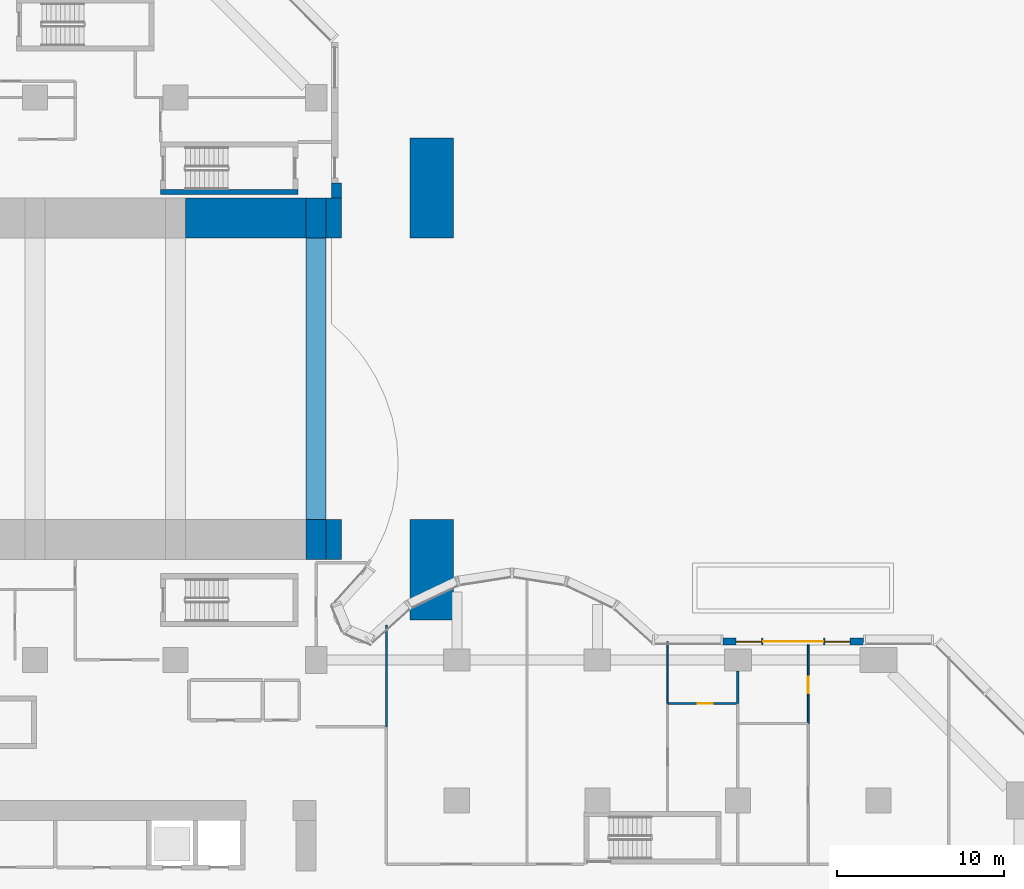
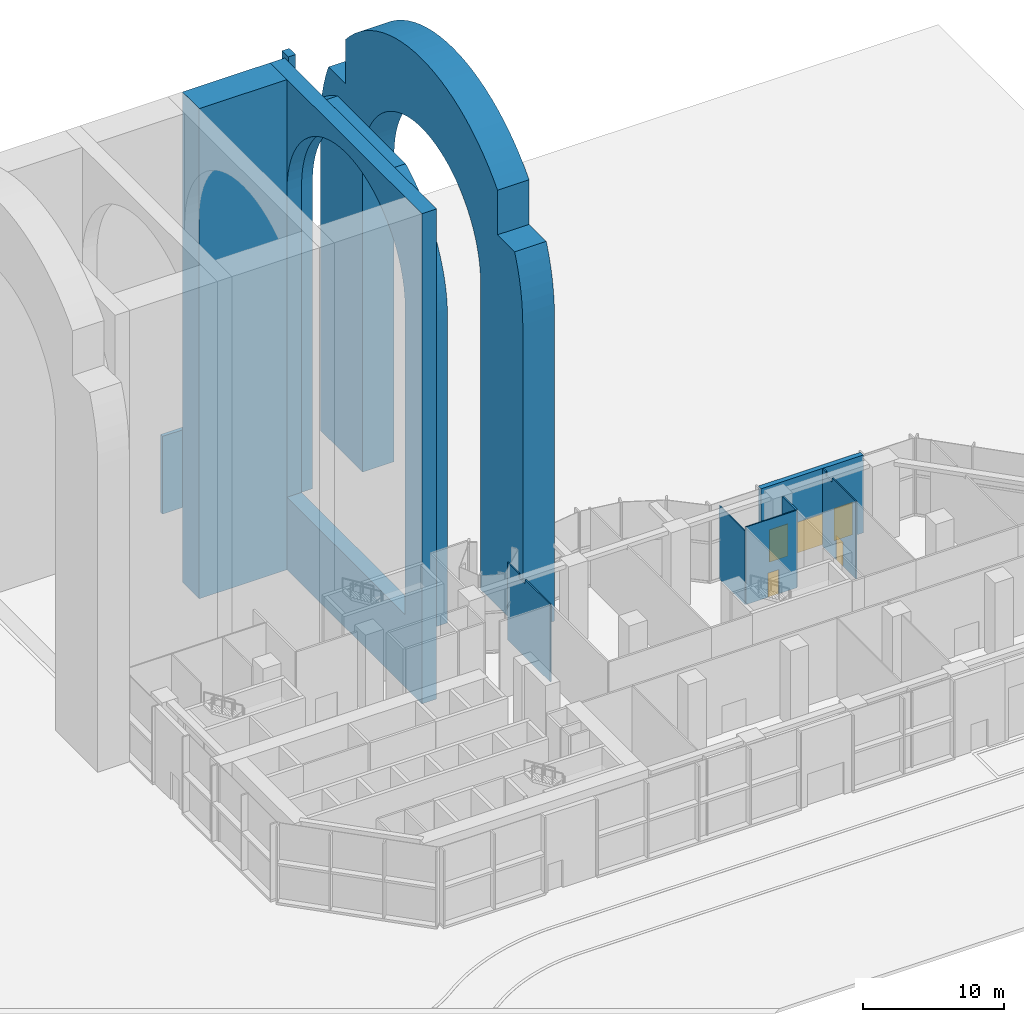
# One storey, part 11 of 21: 12 walls, 3 doors, 2 windows, 5 openings.
"""IFC4 building model written with IfcOpenShell, lengths in metres."""

from ifc_helpers import new_model, si_unit, direction, frame, frame_2d, origin, place, context, subcontext, project, spatial, polyline, rectangle, outline, extrude, material, layer, layer_set, material_profile, profile_set, type_object, element, fill, save


model = new_model("IFC4")

# Units and contexts
model_context = context("Model", 3, precision=1e-05, world=origin(), true_north=direction((0.0, 1.0)))
body_context = subcontext(model_context, "Body", "Model", "MODEL_VIEW")
ifc_project = project(units=[si_unit("LENGTHUNIT", "METRE"), si_unit("AREAUNIT", "SQUARE_METRE"), si_unit("VOLUMEUNIT", "CUBIC_METRE"), si_unit("PLANEANGLEUNIT", "RADIAN"), si_unit("MASSUNIT", "GRAM", prefix="KILO")], contexts=[model_context])

# Site, building, storey
site_placement = place(None, origin())
site = spatial("IfcSite", under=ifc_project, at=site_placement, CompositionType="ELEMENT")
building_placement = place(site_placement, origin())
building = spatial("IfcBuilding", under=site, at=building_placement, Name="Brevane Broadcast Tower", CompositionType="ELEMENT")
storey_placement = place(building_placement, origin())
storey = spatial("IfcBuildingStorey", under=building, at=storey_placement, Name="L00", CompositionType="ELEMENT", Elevation=0.0)

# Walls
ifc_material_1 = material(Name="Precast concrete C40/50", Category="concrete")
ifc_layer_1 = layer(ifc_material_1, 0.60009765625)
ifc_layer_set_1 = layer_set([ifc_layer_1], Name="ARCH JAMB INFILL WALL 600")
wall_type_1 = type_object("IfcWallType", Name="ARCH JAMB INFILL WALL 600", PredefinedType="SOLIDWALL", material=ifc_layer_set_1)
wall_1_placement = place(storey_placement, frame((26.39990234375, 52.800048828125, 0.0), z_axis=(0.0, 0.0, 1.0), x_axis=(0.0, 1.0, 0.0)))
element("IfcWall", 1, at=wall_1_placement, inside=storey, type_object=wall_type_1, Name="Arch jamb infill E", PredefinedType="SOLIDWALL", context=body_context, shape_type="SweptSolid", body=[
    extrude(rectangle(XDim=0.89990234375, YDim=0.60009765625, at=frame_2d((0.449951171875, 0.0))), origin(), (0.0, 0.0, 1.0), 36.22998046875),
])
ifc_material_2 = material(Name="Concrete C80/95", Category="concrete")
ifc_layer_2 = layer(ifc_material_2, 2.39990234375)
ifc_layer_set_2 = layer_set([ifc_layer_2], Name="ARCH PIER WALL 2400 C80/95")
wall_type_2 = type_object("IfcWallType", Name="ARCH PIER WALL 2400 C80/95", PredefinedType="SOLIDWALL", material=ifc_layer_set_2)
wall_2_placement = place(storey_placement, frame((17.39990234375, 51.60009765625, -6.300048828125), z_axis=(0.0, 0.0, 1.0), x_axis=(1.0, 0.0, 0.0)))
element("IfcWall", 2, at=wall_2_placement, inside=storey, type_object=wall_type_2, Name="AP1 6", PredefinedType="SOLIDWALL", context=body_context, shape_type="SweptSolid", body=[
    extrude(rectangle(XDim=7.2001953125, YDim=2.39990234375, at=frame_2d((3.60009765625, 0.0))), origin(), (0.0, 0.0, 1.0), 42.550048828125),
])
ifc_material_profile_1 = material_profile(ifc_material_2, outline(polyline([(-10.800048828125, -6.300048828125), (10.800048828125, -6.300048828125), (10.800048828125, 36.25), (-10.800048828125, 36.25), (-10.800048828125, -6.300048828125)]), holes=[polyline([(-8.39990234375, 0.0), (-8.39990234375, 26.60009765625), (-8.359619140625, 27.42333984375), (-8.238525390625, 28.23876953125), (-8.038330078125, 29.038330078125), (-7.760498046875, 29.814453125), (-7.408203125, 30.559814453125), (-6.984375, 31.266845703125), (-6.493408203125, 31.928955078125), (-5.939697265625, 32.539794921875), (-5.328857421875, 33.09326171875), (-4.666748046875, 33.584228515625), (-3.959716796875, 34.008056640625), (-3.214599609375, 34.360595703125), (-2.4384765625, 34.63818359375), (-1.638671875, 34.838623046875), (-0.8232421875, 34.95947265625), (0.0, 35.0), (0.8232421875, 34.95947265625), (1.638671875, 34.838623046875), (2.4384765625, 34.63818359375), (3.214599609375, 34.360595703125), (3.959716796875, 34.008056640625), (4.666748046875, 33.584228515625), (5.328857421875, 33.09326171875), (5.939697265625, 32.539794921875), (6.493408203125, 31.928955078125), (6.984375, 31.266845703125), (7.408203125, 30.559814453125), (7.760498046875, 29.814453125), (8.038330078125, 29.038330078125), (8.238525390625, 28.23876953125), (8.359619140625, 27.42333984375), (8.39990234375, 26.60009765625), (8.39990234375, 0.0), (-8.39990234375, 0.0)])]), Name="ARCH RIB")
ifc_profile_set_1 = profile_set([ifc_material_profile_1], Name="Concrete C80/95")
wall_type_3 = type_object("IfcWallType", Name="ARCH RIB WALL 1200 C80/95", PredefinedType="SOLIDWALL", material=ifc_profile_set_1)
wall_3_placement = place(storey_placement, frame((24.60009765625, 42.0, 0.0), z_axis=(1.0, 0.0, 0.0), x_axis=(0.0, 1.0, 0.0)))
element("IfcWall", 3, at=wall_3_placement, inside=storey, type_object=wall_type_3, Name="AR1 4", PredefinedType="SOLIDWALL", context=body_context, shape_type="SweptSolid", body=[
    extrude(outline(polyline([(-10.800048828125, -6.300048828125), (10.800048828125, -6.300048828125), (10.800048828125, 36.25), (-10.800048828125, 36.25), (-10.800048828125, -6.300048828125)]), holes=[polyline([(-8.39990234375, 0.0), (-8.39990234375, 26.60009765625), (-8.359619140625, 27.42333984375), (-8.238525390625, 28.23876953125), (-8.038330078125, 29.038330078125), (-7.760498046875, 29.814453125), (-7.408203125, 30.559814453125), (-6.984375, 31.266845703125), (-6.493408203125, 31.928955078125), (-5.939697265625, 32.539794921875), (-5.328857421875, 33.09326171875), (-4.666748046875, 33.584228515625), (-3.959716796875, 34.008056640625), (-3.214599609375, 34.360595703125), (-2.4384765625, 34.63818359375), (-1.638671875, 34.838623046875), (-0.8232421875, 34.95947265625), (0.0, 35.0), (0.8232421875, 34.95947265625), (1.638671875, 34.838623046875), (2.4384765625, 34.63818359375), (3.214599609375, 34.360595703125), (3.959716796875, 34.008056640625), (4.666748046875, 33.584228515625), (5.328857421875, 33.09326171875), (5.939697265625, 32.539794921875), (6.493408203125, 31.928955078125), (6.984375, 31.266845703125), (7.408203125, 30.559814453125), (7.760498046875, 29.814453125), (8.038330078125, 29.038330078125), (8.238525390625, 28.23876953125), (8.359619140625, 27.42333984375), (8.39990234375, 26.60009765625), (8.39990234375, 0.0), (-8.39990234375, 0.0)])]), origin(), (0.0, 0.0, 1.0), 1.199951171875),
])
ifc_material_profile_2 = material_profile(ifc_material_1, outline(polyline([(13.303955078125, 32.110595703125), (13.6357421875, 31.228759765625), (13.9091796875, 30.326904296875), (14.123291015625, 29.4091796875), (14.27685546875, 28.4794921875), (14.369140625, 27.541748046875), (14.39990234375, 26.60009765625), (14.39990234375, 0.0), (8.39990234375, 0.0), (8.39990234375, 26.60009765625), (8.382080078125, 27.1494140625), (8.328125, 27.6962890625), (8.238525390625, 28.23876953125), (8.11376953125, 28.774169921875), (7.9541015625, 29.300048828125), (7.760498046875, 29.814453125), (7.53369140625, 30.315185546875), (7.274658203125, 30.800048828125), (6.984375, 31.266845703125), (6.664306640625, 31.713623046875), (6.3154296875, 32.138427734375), (5.939697265625, 32.539794921875), (5.53857421875, 32.915283203125), (5.113525390625, 33.26416015625), (4.666748046875, 33.584228515625), (4.199951171875, 33.87451171875), (3.715087890625, 34.1337890625), (3.214599609375, 34.360595703125), (2.7001953125, 34.55419921875), (2.174072265625, 34.7138671875), (1.638916015625, 34.838623046875), (1.096435546875, 34.927978515625), (0.54931640625, 34.98193359375), (0.0, 35.0), (-0.54931640625, 34.98193359375), (-1.096435546875, 34.927978515625), (-1.638916015625, 34.838623046875), (-2.174072265625, 34.7138671875), (-2.7001953125, 34.55419921875), (-3.214599609375, 34.360595703125), (-3.715087890625, 34.1337890625), (-4.199951171875, 33.87451171875), (-4.666748046875, 33.584228515625), (-5.113525390625, 33.26416015625), (-5.53857421875, 32.915283203125), (-5.939697265625, 32.539794921875), (-6.3154296875, 32.138427734375), (-6.664306640625, 31.713623046875), (-6.984375, 31.266845703125), (-7.274658203125, 30.800048828125), (-7.53369140625, 30.315185546875), (-7.760498046875, 29.814453125), (-7.9541015625, 29.300048828125), (-8.11376953125, 28.774169921875), (-8.238525390625, 28.23876953125), (-8.328125, 27.6962890625), (-8.382080078125, 27.1494140625), (-8.39990234375, 26.60009765625), (-8.39990234375, 0.0), (-14.39990234375, 0.0), (-14.39990234375, 26.60009765625), (-14.369140625, 27.541748046875), (-14.27685546875, 28.4794921875), (-14.123291015625, 29.4091796875), (-13.9091796875, 30.326904296875), (-13.6357421875, 31.228759765625), (-13.303955078125, 32.110595703125), (-13.24072265625, 32.25), (-10.800048828125, 32.25), (-10.800048828125, 36.122802734375), (-10.182373046875, 36.7822265625), (-9.49462890625, 37.426513671875), (-8.76611328125, 38.0244140625), (-8.000244140625, 38.5732421875), (-7.199951171875, 39.07080078125), (-6.368896484375, 39.514892578125), (-5.510498046875, 39.90380859375), (-4.628662109375, 40.23583984375), (-3.72705078125, 40.50927734375), (-2.809326171875, 40.723388671875), (-1.879638671875, 40.876708984375), (-0.94189453125, 40.96923828125), (0.0, 41.0), (0.94189453125, 40.96923828125), (1.879638671875, 40.876708984375), (2.809326171875, 40.723388671875), (3.72705078125, 40.50927734375), (4.628662109375, 40.23583984375), (5.510498046875, 39.90380859375), (6.368896484375, 39.514892578125), (7.199951171875, 39.07080078125), (8.000244140625, 38.5732421875), (8.76611328125, 38.0244140625), (9.49462890625, 37.426513671875), (10.182373046875, 36.7822265625), (10.800048828125, 36.122802734375), (10.800048828125, 32.25), (13.24072265625, 32.25), (13.303955078125, 32.110595703125)])), Name="ARCH SURROUND")
ifc_profile_set_2 = profile_set([ifc_material_profile_2], Name="Precast concrete C40/50")
wall_type_4 = type_object("IfcWallType", Name="ARCH SURROUND CLADDING WALL out 1 2600", PredefinedType="SOLIDWALL", material=ifc_profile_set_2)
wall_4_placement = place(storey_placement, frame((30.800048828125, 42.0, 0.0), z_axis=(1.0, 0.0, 0.0), x_axis=(0.0, 1.0, 0.0)))
element("IfcWall", 4, at=wall_4_placement, inside=storey, type_object=wall_type_4, Name="Arch surround E", PredefinedType="SOLIDWALL", context=body_context, shape_type="SweptSolid", body=[
    extrude(outline(polyline([(13.303955078125, 32.110595703125), (13.6357421875, 31.228759765625), (13.9091796875, 30.326904296875), (14.123291015625, 29.4091796875), (14.27685546875, 28.4794921875), (14.369140625, 27.541748046875), (14.39990234375, 26.60009765625), (14.39990234375, 0.0), (8.39990234375, 0.0), (8.39990234375, 26.60009765625), (8.382080078125, 27.1494140625), (8.328125, 27.6962890625), (8.238525390625, 28.23876953125), (8.11376953125, 28.774169921875), (7.9541015625, 29.300048828125), (7.760498046875, 29.814453125), (7.53369140625, 30.315185546875), (7.274658203125, 30.800048828125), (6.984375, 31.266845703125), (6.664306640625, 31.713623046875), (6.3154296875, 32.138427734375), (5.939697265625, 32.539794921875), (5.53857421875, 32.915283203125), (5.113525390625, 33.26416015625), (4.666748046875, 33.584228515625), (4.199951171875, 33.87451171875), (3.715087890625, 34.1337890625), (3.214599609375, 34.360595703125), (2.7001953125, 34.55419921875), (2.174072265625, 34.7138671875), (1.638916015625, 34.838623046875), (1.096435546875, 34.927978515625), (0.54931640625, 34.98193359375), (0.0, 35.0), (-0.54931640625, 34.98193359375), (-1.096435546875, 34.927978515625), (-1.638916015625, 34.838623046875), (-2.174072265625, 34.7138671875), (-2.7001953125, 34.55419921875), (-3.214599609375, 34.360595703125), (-3.715087890625, 34.1337890625), (-4.199951171875, 33.87451171875), (-4.666748046875, 33.584228515625), (-5.113525390625, 33.26416015625), (-5.53857421875, 32.915283203125), (-5.939697265625, 32.539794921875), (-6.3154296875, 32.138427734375), (-6.664306640625, 31.713623046875), (-6.984375, 31.266845703125), (-7.274658203125, 30.800048828125), (-7.53369140625, 30.315185546875), (-7.760498046875, 29.814453125), (-7.9541015625, 29.300048828125), (-8.11376953125, 28.774169921875), (-8.238525390625, 28.23876953125), (-8.328125, 27.6962890625), (-8.382080078125, 27.1494140625), (-8.39990234375, 26.60009765625), (-8.39990234375, 0.0), (-14.39990234375, 0.0), (-14.39990234375, 26.60009765625), (-14.369140625, 27.541748046875), (-14.27685546875, 28.4794921875), (-14.123291015625, 29.4091796875), (-13.9091796875, 30.326904296875), (-13.6357421875, 31.228759765625), (-13.303955078125, 32.110595703125), (-13.24072265625, 32.25), (-10.800048828125, 32.25), (-10.800048828125, 36.122802734375), (-10.182373046875, 36.7822265625), (-9.49462890625, 37.426513671875), (-8.76611328125, 38.0244140625), (-8.000244140625, 38.5732421875), (-7.199951171875, 39.07080078125), (-6.368896484375, 39.514892578125), (-5.510498046875, 39.90380859375), (-4.628662109375, 40.23583984375), (-3.72705078125, 40.50927734375), (-2.809326171875, 40.723388671875), (-1.879638671875, 40.876708984375), (-0.94189453125, 40.96923828125), (0.0, 41.0), (0.94189453125, 40.96923828125), (1.879638671875, 40.876708984375), (2.809326171875, 40.723388671875), (3.72705078125, 40.50927734375), (4.628662109375, 40.23583984375), (5.510498046875, 39.90380859375), (6.368896484375, 39.514892578125), (7.199951171875, 39.07080078125), (8.000244140625, 38.5732421875), (8.76611328125, 38.0244140625), (9.49462890625, 37.426513671875), (10.182373046875, 36.7822265625), (10.800048828125, 36.122802734375), (10.800048828125, 32.25), (13.24072265625, 32.25), (13.303955078125, 32.110595703125)])), origin(), (0.0, 0.0, 1.0), 2.599853515625),
])
ifc_material_profile_3 = material_profile(ifc_material_1, outline(polyline([(5.39990234375, 35.953125), (6.000244140625, 35.579833984375), (6.57470703125, 35.168212890625), (7.120849609375, 34.719970703125), (7.63671875, 34.23681640625), (8.119873046875, 33.720947265625), (8.568115234375, 33.174560546875), (8.97998046875, 32.60009765625), (9.35302734375, 32.0), (9.686279296875, 31.376708984375), (9.977783203125, 30.73291015625), (10.226806640625, 30.071533203125), (10.431884765625, 29.395263671875), (10.592529296875, 28.70703125), (10.70751953125, 28.009765625), (10.77685546875, 27.306396484375), (10.800048828125, 26.60009765625), (10.800048828125, 0.0), (8.39990234375, 0.0), (8.39990234375, 26.60009765625), (8.382080078125, 27.1494140625), (8.328125, 27.6962890625), (8.238525390625, 28.23876953125), (8.11376953125, 28.774169921875), (7.9541015625, 29.300048828125), (7.760498046875, 29.814453125), (7.53369140625, 30.315185546875), (7.274658203125, 30.800048828125), (6.984375, 31.266845703125), (6.664306640625, 31.713623046875), (6.3154296875, 32.138427734375), (5.939697265625, 32.539794921875), (5.53857421875, 32.915283203125), (5.113525390625, 33.26416015625), (4.666748046875, 33.584228515625), (4.199951171875, 33.87451171875), (3.715087890625, 34.1337890625), (3.214599609375, 34.360595703125), (2.7001953125, 34.55419921875), (2.174072265625, 34.7138671875), (1.638916015625, 34.838623046875), (1.096435546875, 34.927978515625), (0.54931640625, 34.98193359375), (0.0, 35.0), (-0.54931640625, 34.98193359375), (-1.096435546875, 34.927978515625), (-1.638916015625, 34.838623046875), (-2.174072265625, 34.7138671875), (-2.7001953125, 34.55419921875), (-3.214599609375, 34.360595703125), (-3.715087890625, 34.1337890625), (-4.199951171875, 33.87451171875), (-4.666748046875, 33.584228515625), (-5.113525390625, 33.26416015625), (-5.53857421875, 32.915283203125), (-5.939697265625, 32.539794921875), (-6.3154296875, 32.138427734375), (-6.664306640625, 31.713623046875), (-6.984375, 31.266845703125), (-7.274658203125, 30.800048828125), (-7.53369140625, 30.315185546875), (-7.760498046875, 29.814453125), (-7.9541015625, 29.300048828125), (-8.11376953125, 28.774169921875), (-8.238525390625, 28.23876953125), (-8.328125, 27.6962890625), (-8.382080078125, 27.1494140625), (-8.39990234375, 26.60009765625), (-8.39990234375, 0.0), (-10.800048828125, 0.0), (-10.800048828125, 26.60009765625), (-10.77685546875, 27.306396484375), (-10.70751953125, 28.009765625), (-10.592529296875, 28.70703125), (-10.431884765625, 29.395263671875), (-10.226806640625, 30.071533203125), (-9.977783203125, 30.73291015625), (-9.686279296875, 31.376708984375), (-9.35302734375, 32.0), (-8.97998046875, 32.60009765625), (-8.568115234375, 33.174560546875), (-8.119873046875, 33.720947265625), (-7.63671875, 34.23681640625), (-7.120849609375, 34.719970703125), (-6.57470703125, 35.168212890625), (-6.000244140625, 35.579833984375), (-5.39990234375, 35.953125), (-4.844482421875, 36.25), (4.844482421875, 36.25), (5.39990234375, 35.953125)])), Name="ARCH SURROUND")
ifc_profile_set_3 = profile_set([ifc_material_profile_3], Name="Precast concrete C40/50")
wall_type_5 = type_object("IfcWallType", Name="ARCH SURROUND CLADDING WALL reveal 1 900", PredefinedType="SOLIDWALL", material=ifc_profile_set_3)
wall_5_placement = place(storey_placement, frame((25.800048828125, 42.0, 0.0), z_axis=(1.0, 0.0, 0.0), x_axis=(0.0, 1.0, 0.0)))
element("IfcWall", 5, at=wall_5_placement, inside=storey, type_object=wall_type_5, Name="Arch surround E", PredefinedType="SOLIDWALL", context=body_context, shape_type="SweptSolid", body=[
    extrude(outline(polyline([(5.39990234375, 35.953125), (6.000244140625, 35.579833984375), (6.57470703125, 35.168212890625), (7.120849609375, 34.719970703125), (7.63671875, 34.23681640625), (8.119873046875, 33.720947265625), (8.568115234375, 33.174560546875), (8.97998046875, 32.60009765625), (9.35302734375, 32.0), (9.686279296875, 31.376708984375), (9.977783203125, 30.73291015625), (10.226806640625, 30.071533203125), (10.431884765625, 29.395263671875), (10.592529296875, 28.70703125), (10.70751953125, 28.009765625), (10.77685546875, 27.306396484375), (10.800048828125, 26.60009765625), (10.800048828125, 0.0), (8.39990234375, 0.0), (8.39990234375, 26.60009765625), (8.382080078125, 27.1494140625), (8.328125, 27.6962890625), (8.238525390625, 28.23876953125), (8.11376953125, 28.774169921875), (7.9541015625, 29.300048828125), (7.760498046875, 29.814453125), (7.53369140625, 30.315185546875), (7.274658203125, 30.800048828125), (6.984375, 31.266845703125), (6.664306640625, 31.713623046875), (6.3154296875, 32.138427734375), (5.939697265625, 32.539794921875), (5.53857421875, 32.915283203125), (5.113525390625, 33.26416015625), (4.666748046875, 33.584228515625), (4.199951171875, 33.87451171875), (3.715087890625, 34.1337890625), (3.214599609375, 34.360595703125), (2.7001953125, 34.55419921875), (2.174072265625, 34.7138671875), (1.638916015625, 34.838623046875), (1.096435546875, 34.927978515625), (0.54931640625, 34.98193359375), (0.0, 35.0), (-0.54931640625, 34.98193359375), (-1.096435546875, 34.927978515625), (-1.638916015625, 34.838623046875), (-2.174072265625, 34.7138671875), (-2.7001953125, 34.55419921875), (-3.214599609375, 34.360595703125), (-3.715087890625, 34.1337890625), (-4.199951171875, 33.87451171875), (-4.666748046875, 33.584228515625), (-5.113525390625, 33.26416015625), (-5.53857421875, 32.915283203125), (-5.939697265625, 32.539794921875), (-6.3154296875, 32.138427734375), (-6.664306640625, 31.713623046875), (-6.984375, 31.266845703125), (-7.274658203125, 30.800048828125), (-7.53369140625, 30.315185546875), (-7.760498046875, 29.814453125), (-7.9541015625, 29.300048828125), (-8.11376953125, 28.774169921875), (-8.238525390625, 28.23876953125), (-8.328125, 27.6962890625), (-8.382080078125, 27.1494140625), (-8.39990234375, 26.60009765625), (-8.39990234375, 0.0), (-10.800048828125, 0.0), (-10.800048828125, 26.60009765625), (-10.77685546875, 27.306396484375), (-10.70751953125, 28.009765625), (-10.592529296875, 28.70703125), (-10.431884765625, 29.395263671875), (-10.226806640625, 30.071533203125), (-9.977783203125, 30.73291015625), (-9.686279296875, 31.376708984375), (-9.35302734375, 32.0), (-8.97998046875, 32.60009765625), (-8.568115234375, 33.174560546875), (-8.119873046875, 33.720947265625), (-7.63671875, 34.23681640625), (-7.120849609375, 34.719970703125), (-6.57470703125, 35.168212890625), (-6.000244140625, 35.579833984375), (-5.39990234375, 35.953125), (-4.844482421875, 36.25), (4.844482421875, 36.25), (5.39990234375, 35.953125)])), origin(), (0.0, 0.0, 1.0), 0.89990234375),
])
ifc_layer_3 = layer(ifc_material_2, 0.300048828125)
ifc_layer_set_3 = layer_set([ifc_layer_3], Name="Core wall 300 mm C80/95")
wall_type_6 = type_object("IfcWallType", Name="Core wall 300 mm C80/95", PredefinedType="SHEAR", material=ifc_layer_set_3)
wall_6_placement = place(storey_placement, frame((15.89990234375, 53.14990234375, 0.0), z_axis=(0.0, 0.0, 1.0), x_axis=(1.0, 0.0, 0.0)))
element("IfcWall", 6, at=wall_6_placement, inside=storey, type_object=wall_type_6, Name="L00 stair wall ST-5-S", PredefinedType="SHEAR", context=body_context, shape_type="SweptSolid", body=[
    extrude(rectangle(XDim=8.2001953125, YDim=0.300048828125, at=frame_2d((4.10009765625, 0.0))), origin(), (0.0, 0.0, 1.0), 6.75),
])

# Wall, openings, windows, door
ifc_material_3 = material(Name="Concrete C40/50", Category="concrete")
ifc_layer_4 = layer(ifc_material_3, 0.39990234375)
ifc_layer_set_4 = layer_set([ifc_layer_4], Name="Entrance portal wall 400")
wall_type_7 = type_object("IfcWallType", Name="Entrance portal wall 400", PredefinedType="SOLIDWALL", material=ifc_layer_set_4)
wall_7_placement = place(storey_placement, frame((49.5, 26.300048828125, 0.0), z_axis=(0.0, 0.0, 1.0), x_axis=(1.0, 0.0, 0.0)))
wall_7 = element("IfcWall", 7, at=wall_7_placement, inside=storey, type_object=wall_type_7, Name="Portal wall main entrance", PredefinedType="SOLIDWALL", context=body_context, shape_type="SweptSolid", body=[
    extrude(rectangle(XDim=8.39990234375, YDim=0.39990234375, at=frame_2d((4.199951171875, 0.0))), origin(), (0.0, 0.0, 1.0), 6.75),
])
opening_1_placement = place(wall_7_placement, frame((2.39990234375, 0.0, 0.0)))
opening_1 = element("IfcOpeningElement", 8, at=opening_1_placement, cuts=wall_7, Name="Opening EX06", PredefinedType="OPENING", context=body_context, shape_type="SweptSolid", body=[
    extrude(rectangle(XDim=3.60009765625, YDim=2.800048828125, at=frame_2d((1.800048828125, 1.39990234375))), frame((0.0, 0.2099609375, 0.0), z_axis=(0.0, -1.0, 0.0), x_axis=(1.0, 0.0, 0.0)), (0.0, 0.0, 1.0), 0.419921875),
])
opening_2_placement = place(wall_7_placement, frame((0.800048828125, 0.0, 0.0)))
opening_2 = element("IfcOpeningElement", 9, at=opening_2_placement, cuts=wall_7, Name="Opening FW03", PredefinedType="OPENING", context=body_context, shape_type="SweptSolid", body=[
    extrude(rectangle(XDim=1.5, YDim=2.800048828125, at=frame_2d((0.75, 1.39990234375))), frame((0.0, 0.2099609375, 0.0), z_axis=(0.0, -1.0, 0.0), x_axis=(1.0, 0.0, 0.0)), (0.0, 0.0, 1.0), 0.419921875),
])
opening_3_placement = place(wall_7_placement, frame((6.10009765625, 0.0, 0.0)))
opening_3 = element("IfcOpeningElement", 10, at=opening_3_placement, cuts=wall_7, Name="Opening FW04", PredefinedType="OPENING", context=body_context, shape_type="SweptSolid", body=[
    extrude(rectangle(XDim=1.5, YDim=2.800048828125, at=frame_2d((0.75, 1.39990234375))), frame((0.0, 0.2099609375, 0.0), z_axis=(0.0, -1.0, 0.0), x_axis=(1.0, 0.0, 0.0)), (0.0, 0.0, 1.0), 0.419921875),
])
ifc_material_4 = material(Name="Laminated glass bronze-tinted", Category="glass")
window_type = type_object("IfcWindowType", Name="Fixed sidelight 1500x2800", PartitioningType="SINGLE_PANEL", PredefinedType="WINDOW", material=ifc_material_4)
window_1_placement = place(opening_2_placement, origin())
window_1 = element("IfcWindow", 11, at=window_1_placement, inside=storey, type_object=window_type, Name="Fixed sidelight", OverallHeight=2.800048828125, OverallWidth=1.5, PartitioningType="SINGLE_PANEL", PredefinedType="WINDOW", context=body_context, shape_type="SweptSolid", body=[
    extrude(rectangle(XDim=1.5, YDim=2.800048828125, at=frame_2d((0.75, 1.39990234375))), frame((0.0, 0.030029296875, 0.0), z_axis=(0.0, -1.0, 0.0), x_axis=(1.0, 0.0, 0.0)), (0.0, 0.0, 1.0), 0.06005859375),
])
fill(opening_2, window_1)
window_2_placement = place(opening_3_placement, origin())
window_2 = element("IfcWindow", 12, at=window_2_placement, inside=storey, type_object=window_type, Name="Fixed sidelight", OverallHeight=2.800048828125, OverallWidth=1.5, PartitioningType="SINGLE_PANEL", PredefinedType="WINDOW", context=body_context, shape_type="SweptSolid", body=[
    extrude(rectangle(XDim=1.5, YDim=2.800048828125, at=frame_2d((0.75, 1.39990234375))), frame((0.0, 0.030029296875, 0.0), z_axis=(0.0, -1.0, 0.0), x_axis=(1.0, 0.0, 0.0)), (0.0, 0.0, 1.0), 0.06005859375),
])
fill(opening_3, window_2)
ifc_material_5 = material(Name="Aluminium bronze anodised and laminated glass", Category="aluminium")
door_type_1 = type_object("IfcDoorType", Name="Main entrance door 3600x2800", OperationType="DOUBLE_DOOR_DOUBLE_SWING", PredefinedType="DOOR", material=ifc_material_5)
door_1_placement = place(opening_1_placement, origin())
door_1 = element("IfcDoor", 13, at=door_1_placement, inside=storey, type_object=door_type_1, Name="Main entrance", OperationType="DOUBLE_DOOR_DOUBLE_SWING", OverallHeight=2.800048828125, OverallWidth=3.60009765625, PredefinedType="DOOR", context=body_context, shape_type="SweptSolid", body=[
    extrude(rectangle(XDim=3.60009765625, YDim=2.800048828125, at=frame_2d((1.800048828125, 1.39990234375))), frame((0.0, 0.02490234375, 0.0), z_axis=(0.0, -1.0, 0.0), x_axis=(1.0, 0.0, 0.0)), (0.0, 0.0, 1.0), 0.050048828125),
])
fill(opening_1, door_1)

# Walls
ifc_material_6 = material(Name="Gypsum board partition")
ifc_layer_5 = layer(ifc_material_6, 0.10009765625)
ifc_layer_set_5 = layer_set([ifc_layer_5], Name="PARTITION 100 STUD")
wall_type_8 = type_object("IfcWallType", Name="PARTITION 100 STUD", PredefinedType="PARTITIONING", material=ifc_layer_set_5)
wall_8_placement = place(storey_placement, frame((29.39990234375, 27.27490234375, 0.0), z_axis=(0.0, 0.0, 1.0), x_axis=(0.0, -1.0, 0.0)))
element("IfcWall", 14, at=wall_8_placement, inside=storey, type_object=wall_type_8, Name="Partition P0-005", PredefinedType="PARTITIONING", context=body_context, shape_type="SweptSolid", body=[
    extrude(outline(polyline([(0.0, 0.0), (6.074951171875, 0.0), (6.074951171875, 6.72998046875), (2.52490234375, 6.72998046875), (2.52294921875, 6.3798828125), (1.626953125, 6.3798828125), (1.625, 6.72998046875), (0.0, 6.72998046875), (0.0, 0.0)])), frame((0.0, 0.050048828125, 0.0), z_axis=(0.0, -1.0, 0.0), x_axis=(1.0, 0.0, 0.0)), (0.0, 0.0, 1.0), 0.10009765625),
])
wall_9_placement = place(storey_placement, frame((46.199951171875, 26.300048828125, 0.0), z_axis=(0.0, 0.0, 1.0), x_axis=(0.0, -1.0, 0.0)))
element("IfcWall", 15, at=wall_9_placement, inside=storey, type_object=wall_type_8, Name="Partition P0-028", PredefinedType="PARTITIONING", context=body_context, shape_type="SweptSolid", body=[
    extrude(rectangle(XDim=3.699951171875, YDim=0.10009765625, at=frame_2d((1.85009765625, 0.0))), origin(), (0.0, 0.0, 1.0), 6.3798828125),
])

# Wall, opening, door
wall_10_placement = place(storey_placement, frame((46.199951171875, 22.60009765625, 0.0), z_axis=(0.0, 0.0, 1.0), x_axis=(1.0, 0.0, 0.0)))
wall_10 = element("IfcWall", 16, at=wall_10_placement, inside=storey, type_object=wall_type_8, Name="Partition P0-029", PredefinedType="PARTITIONING", context=body_context, shape_type="SweptSolid", body=[
    extrude(rectangle(XDim=4.199951171875, YDim=0.10009765625, at=frame_2d((2.10009765625, 0.0))), origin(), (0.0, 0.0, 1.0), 6.72998046875),
])
opening_4_placement = place(wall_10_placement, frame((1.800048828125, 0.0, 0.0)))
opening_4 = element("IfcOpeningElement", 17, at=opening_4_placement, cuts=wall_10, Name="Opening D01-011", PredefinedType="OPENING", context=body_context, shape_type="SweptSolid", body=[
    extrude(rectangle(XDim=0.89990234375, YDim=2.10009765625, at=frame_2d((0.449951171875, 1.050048828125))), frame((0.0, 0.06005859375, 0.0), z_axis=(0.0, -1.0, 0.0), x_axis=(1.0, 0.0, 0.0)), (0.0, 0.0, 1.0), 0.1201171875),
])
ifc_material_7 = material(Name="Timber door leaf", Category="wood")
door_type_2 = type_object("IfcDoorType", Name="DOOR SINGLE 900 INTERNAL", OperationType="SINGLE_SWING_LEFT", PredefinedType="DOOR", material=ifc_material_7)
door_2_placement = place(opening_4_placement, origin())
door_2 = element("IfcDoor", 18, at=door_2_placement, inside=storey, type_object=door_type_2, Name="Door D01-011", OperationType="SINGLE_SWING_LEFT", OverallHeight=2.10009765625, OverallWidth=0.89990234375, PredefinedType="DOOR", context=body_context, shape_type="SweptSolid", body=[
    extrude(rectangle(XDim=0.89990234375, YDim=2.10009765625, at=frame_2d((0.449951171875, 1.050048828125))), frame((0.0, 0.02490234375, 0.0), z_axis=(0.0, -1.0, 0.0), x_axis=(1.0, 0.0, 0.0)), (0.0, 0.0, 1.0), 0.050048828125),
])
fill(opening_4, door_2)

wall_11_placement = place(storey_placement, frame((54.60009765625, 21.39990234375, 0.0), z_axis=(0.0, 0.0, 1.0), x_axis=(0.0, 1.0, 0.0)))
wall_11 = element("IfcWall", 19, at=wall_11_placement, inside=storey, type_object=wall_type_8, Name="Partition P0-035", PredefinedType="PARTITIONING", context=body_context, shape_type="SweptSolid", body=[
    extrude(outline(polyline([(0.0, 0.0), (4.7001953125, 0.0), (4.699951171875, 6.72998046875), (4.25, 6.72998046875), (4.248046875, 6.3798828125), (3.35205078125, 6.3798828125), (3.35009765625, 6.72998046875), (0.0, 6.72998046875), (0.0, 0.0)])), frame((0.0, 0.050048828125, 0.0), z_axis=(0.0, -1.0, 0.0), x_axis=(1.0, 0.0, 0.0)), (0.0, 0.0, 1.0), 0.10009765625),
])
opening_5_placement = place(wall_11_placement, frame((1.800048828125, 0.0, 0.0)))
opening_5 = element("IfcOpeningElement", 20, at=opening_5_placement, cuts=wall_11, Name="Opening D01-014", PredefinedType="OPENING", context=body_context, shape_type="SweptSolid", body=[
    extrude(rectangle(XDim=1.0, YDim=2.10009765625, at=frame_2d((0.5, 1.050048828125))), frame((0.0, 0.06005859375, 0.0), z_axis=(0.0, -1.0, 0.0), x_axis=(1.0, 0.0, 0.0)), (0.0, 0.0, 1.0), 0.1201171875),
])
door_type_3 = type_object("IfcDoorType", Name="DOOR SINGLE 1000 INTERNAL", OperationType="SINGLE_SWING_LEFT", PredefinedType="DOOR", material=ifc_material_7)
door_3_placement = place(opening_5_placement, origin())
door_3 = element("IfcDoor", 21, at=door_3_placement, inside=storey, type_object=door_type_3, Name="Door D01-014", OperationType="SINGLE_SWING_LEFT", OverallHeight=2.10009765625, OverallWidth=1.0, PredefinedType="DOOR", context=body_context, shape_type="SweptSolid", body=[
    extrude(rectangle(XDim=1.0, YDim=2.10009765625, at=frame_2d((0.5, 1.050048828125))), frame((0.0, 0.02490234375, 0.0), z_axis=(0.0, -1.0, 0.0), x_axis=(1.0, 0.0, 0.0)), (0.0, 0.0, 1.0), 0.050048828125),
])
fill(opening_5, door_3)

# Wall
ifc_layer_6 = layer(ifc_material_6, 0.14990234375)
ifc_layer_set_6 = layer_set([ifc_layer_6], Name="PARTITION 150 EI 60")
wall_type_9 = type_object("IfcWallType", Name="PARTITION 150 EI 60", PredefinedType="PARTITIONING", material=ifc_layer_set_6)
wall_12_placement = place(storey_placement, frame((50.39990234375, 24.530029296875, 0.0), z_axis=(0.0, 0.0, 1.0), x_axis=(0.0, -1.0, 0.0)))
element("IfcWall", 22, at=wall_12_placement, inside=storey, type_object=wall_type_9, Name="Partition P0-033", PredefinedType="PARTITIONING", context=body_context, shape_type="SweptSolid", body=[
    extrude(rectangle(XDim=1.929931640625, YDim=0.14990234375, at=frame_2d((0.96484375, 0.0))), origin(), (0.0, 0.0, 1.0), 6.72998046875),
])

save(model, "model.ifc")
